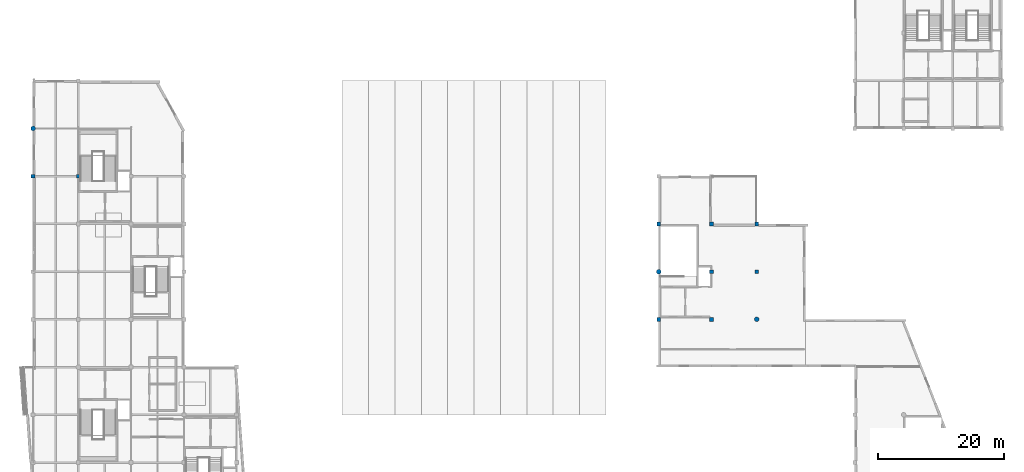
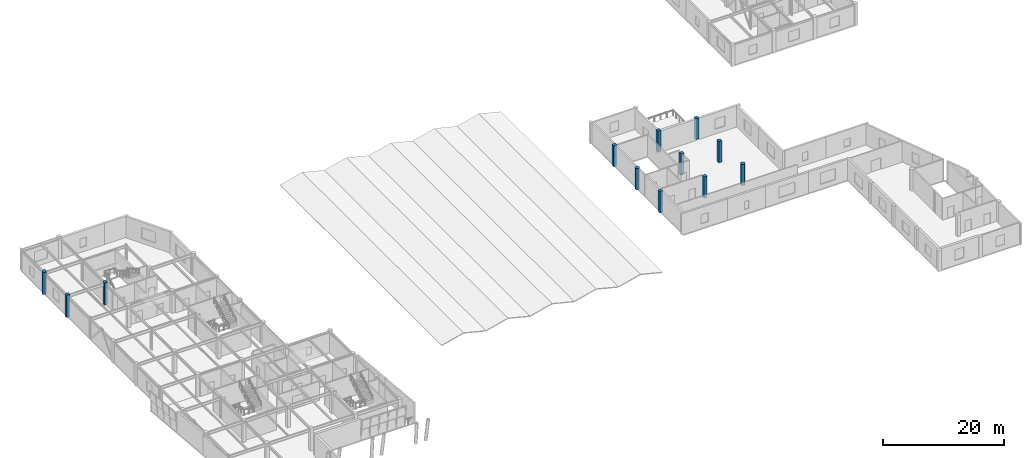
# One storey, part 4 of 28: 12 columns.
"""IFC4 building model written with IfcOpenShell, lengths in metres."""

from ifc_helpers import new_model, si_unit, direction, frame, origin, origin_2d, place, context, subcontext, project, spatial, rectangle, circle, extrude, material, material_profile, profile_set, type_object, element, save


model = new_model("IFC4")

# Units and contexts
model_context = context("Model", 3, precision=1e-05, world=origin(), true_north=direction((0.0, 1.0)))
body_context = subcontext(model_context, "Body", "Model", "MODEL_VIEW")
ifc_project = project(units=[si_unit("LENGTHUNIT", "METRE"), si_unit("AREAUNIT", "SQUARE_METRE"), si_unit("VOLUMEUNIT", "CUBIC_METRE"), si_unit("PLANEANGLEUNIT", "RADIAN"), si_unit("MASSUNIT", "GRAM", prefix="KILO")], contexts=[model_context])

# Site, building, storey
site_placement = place(None, origin())
site = spatial("IfcSite", under=ifc_project, at=site_placement, CompositionType="ELEMENT")
building_placement = place(site_placement, origin())
building = spatial("IfcBuilding", under=site, at=building_placement, Name="Xicomal Pleat Aquarium", CompositionType="ELEMENT")
storey_placement = place(building_placement, frame((0.0, 0.0, 15.300048828125)))
storey = spatial("IfcBuildingStorey", under=building, at=storey_placement, Name="L04", CompositionType="ELEMENT", Elevation=15.300048828125)

# Columns
ifc_material_1 = material(Name="Concrete C40/50", Category="concrete")
ifc_material_profile_1 = material_profile(ifc_material_1, rectangle(XDim=0.60009765625, YDim=0.60009765625, at=origin_2d()), Name="RC 600x600")
ifc_profile_set_1 = profile_set([ifc_material_profile_1], Name="Concrete C40/50")
column_type_1 = type_object("IfcColumnType", Name="COL-RC-600x600", PredefinedType="COLUMN", material=ifc_profile_set_1)
for number, where, z_axis, x_axis, name in (
    (1, (3.0, 68.39990234375, 0.0), (0.0, 0.0, 1.0), (1.0, 0.0, 0.0), "L04 column 01/K"),
    (2, (10.199951171875, 68.39990234375, 0.0), (0.0, 0.0, 1.0), (1.0, 0.0, 0.0), "L04 column 02/K"),
):
    element("IfcColumn", number, at=place(storey_placement, frame(where, z_axis=z_axis, x_axis=x_axis)), inside=storey, type_object=column_type_1, Name=name, PredefinedType="COLUMN", context=body_context, shape_type="SweptSolid", body=[
        extrude(rectangle(XDim=0.60009765625, YDim=0.60009765625, at=origin_2d()), origin(), (0.0, 0.0, 1.0), 4.5),
    ])
for number, where, z_axis, x_axis, name in (
    (3, (102.60009765625, 45.60009765625, 0.0), (0.0, 0.0, 1.0), (1.0, 0.0, 0.0), "L04 column 13/G"),
    (4, (102.60009765625, 60.800048828125, 0.0), (0.0, 0.0, 1.0), (1.0, 0.0, 0.0), "L04 column 13/J"),
    (5, (111.0, 45.60009765625, 0.0), (0.0, 0.0, 1.0), (1.0, 0.0, 0.0), "L04 column 14/G"),
    (6, (111.0, 53.199951171875, 0.0), (0.0, 0.0, 1.0), (1.0, 0.0, 0.0), "L04 column 14/H"),
    (7, (111.0, 60.800048828125, 0.0), (0.0, 0.0, 1.0), (1.0, 0.0, 0.0), "L04 column 14/J"),
    (8, (118.199951171875, 53.199951171875, 0.0), (0.0, 0.0, 1.0), (1.0, 0.0, 0.0), "L04 column 15/H"),
    (9, (118.199951171875, 60.800048828125, 0.0), (0.0, 0.0, 1.0), (1.0, 0.0, 0.0), "L04 column 15/J"),
):
    element("IfcColumn", number, at=place(storey_placement, frame(where, z_axis=z_axis, x_axis=x_axis)), inside=storey, type_object=column_type_1, Name=name, PredefinedType="COLUMN", context=body_context, shape_type="SweptSolid", body=[
        extrude(rectangle(XDim=0.60009765625, YDim=0.60009765625, at=origin_2d()), origin(), (0.0, 0.0, 1.0), 4.284912109375),
    ])
ifc_material_2 = material(Name="Concrete C40/50", Category="concrete")
ifc_material_profile_2 = material_profile(ifc_material_2, circle(Radius=0.375, at=origin_2d()), Name="RCC D750")
ifc_profile_set_2 = profile_set([ifc_material_profile_2], Name="Concrete C40/50")
column_type_2 = type_object("IfcColumnType", Name="COL-RCC-D750", PredefinedType="COLUMN", material=ifc_profile_set_2)
column_placement = place(storey_placement, frame((3.0, 76.0, 0.0), z_axis=(0.0, 0.0, 1.0), x_axis=(1.0, 0.0, 0.0)))
element("IfcColumn", 10, at=column_placement, inside=storey, type_object=column_type_2, Name="L04 column 01/L", PredefinedType="COLUMN", context=body_context, shape_type="SweptSolid", body=[
    extrude(circle(Radius=0.375, at=origin_2d()), origin(), (0.0, 0.0, 1.0), 4.5),
])
for number, where, z_axis, x_axis, name in (
    (11, (102.60009765625, 53.199951171875, 0.0), (0.0, 0.0, 1.0), (1.0, 0.0, 0.0), "L04 column 13/H"),
    (12, (118.199951171875, 45.60009765625, 0.0), (0.0, 0.0, 1.0), (1.0, 0.0, 0.0), "L04 column 15/G"),
):
    element("IfcColumn", number, at=place(storey_placement, frame(where, z_axis=z_axis, x_axis=x_axis)), inside=storey, type_object=column_type_2, Name=name, PredefinedType="COLUMN", context=body_context, shape_type="SweptSolid", body=[
        extrude(circle(Radius=0.375, at=origin_2d()), origin(), (0.0, 0.0, 1.0), 4.284912109375),
    ])

save(model, "model.ifc")
